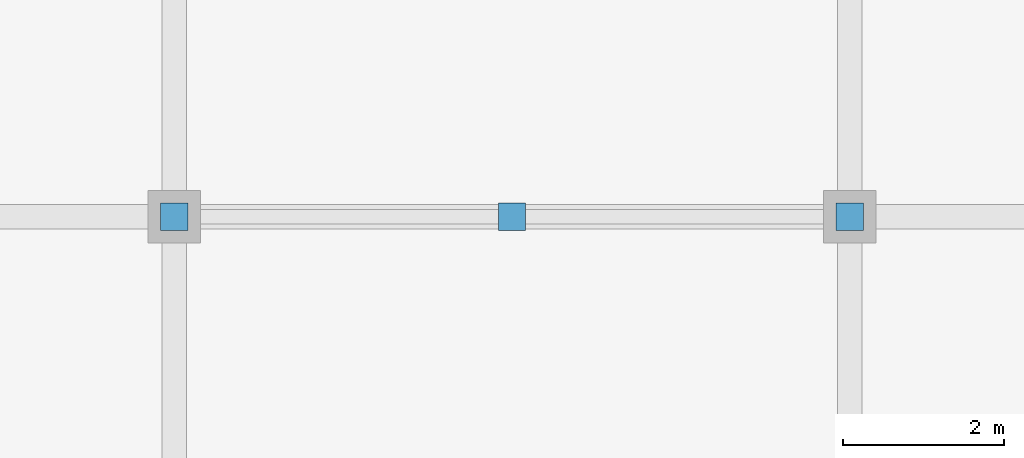
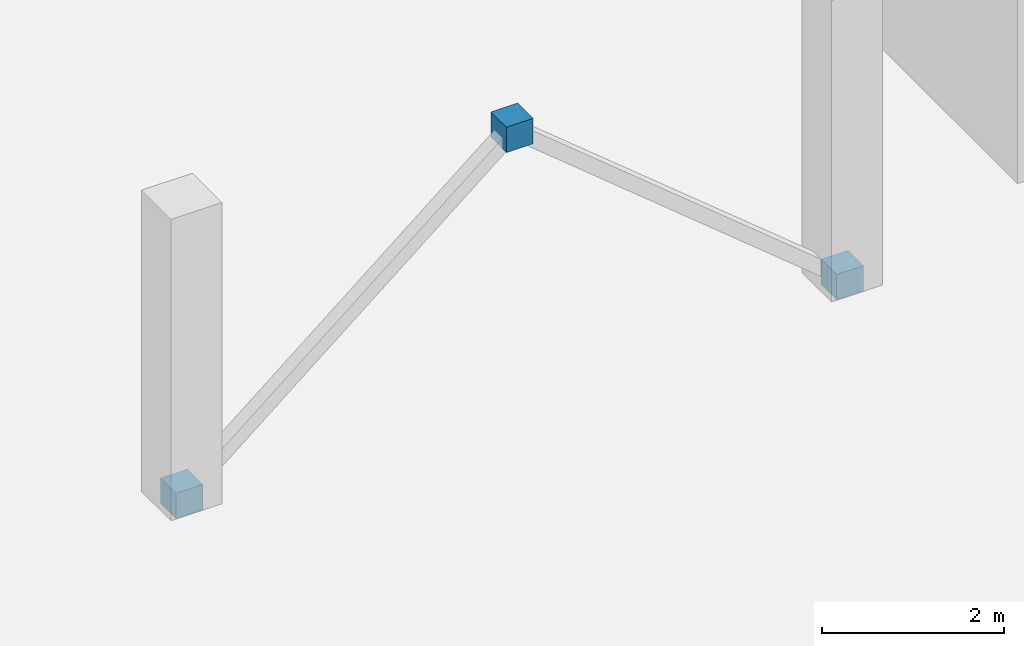
# One storey, part 68 of 77: 3 discrete accessories.
"""IFC4 building model written with IfcOpenShell, lengths in metres."""

import ifcopenshell
import ifcopenshell.guid

model = None  # the IFC model being written
_history = None  # IfcOwnerHistory: only IFC2X3 demands one
_inside = {}  # id of a spatial element -> (the spatial element, [elements in it])
_under = {}  # id of a project, library or spatial element -> (it, [spatial elements below it])
_declared = {}  # id of a project -> (the project, [libraries it declares])
_typed = {}  # id of a type object -> (the type object, [elements of that type])
_made_of = {}  # id of a material, layer set ... -> (it, [elements and type objects made of it])


def new_model(schema):
    """Start an empty IFC model of exactly this schema.

    Asked for "IFC4X3", IfcOpenShell would pick the latest addendum, in which some entities
    have other attributes; the version numbers below select the first issue.
    IFC2X3 requires an IfcOwnerHistory on every rooted entity: one is made here for all.
    """
    global model, _history
    if schema == "IFC4X3":
        model = ifcopenshell.file(schema_version=(4, 3, 0, 0))
    else:
        model = ifcopenshell.file(schema=schema)
    _inside.clear()
    _under.clear()
    _declared.clear()
    _typed.clear()
    _made_of.clear()
    _history = None
    if model.schema == "IFC2X3":
        org = make("IfcOrganization", Name="unknown")
        user = make(
            "IfcPersonAndOrganization",
            ThePerson=make("IfcPerson", FamilyName="unknown"),
            TheOrganization=org,
        )
        app = make(
            "IfcApplication",
            ApplicationDeveloper=org,
            Version="unknown",
            ApplicationFullName="unknown",
            ApplicationIdentifier="unknown",
        )
        _history = make(
            "IfcOwnerHistory",
            OwningUser=user,
            OwningApplication=app,
            ChangeAction="ADDED",
            CreationDate=0,
        )
    return model


def make(cls, **values):
    """One entity of the class cls with the attributes given. An attribute that is None is left unset."""
    return model.create_entity(
        cls, **{name: value for name, value in values.items() if value is not None}
    )


def rooted(cls, **values):
    """An entity with a GlobalId (a new one), such as an element, a storey or a relation."""
    return make(cls, GlobalId=ifcopenshell.guid.new(), OwnerHistory=_history, **values)


def si_unit(unit_type, name, prefix=None):
    """IfcSIUnit, for example si_unit("LENGTHUNIT", "METRE", prefix="MILLI")."""
    return make("IfcSIUnit", UnitType=unit_type, Prefix=prefix, Name=name)


def assignment(units):
    """IfcUnitAssignment: the units of a project."""
    return None if units is None else make("IfcUnitAssignment", Units=units)


def point(xyz):
    """IfcCartesianPoint."""
    return None if xyz is None else make("IfcCartesianPoint", Coordinates=xyz)


def direction(xyz):
    """IfcDirection."""
    return None if xyz is None else make("IfcDirection", DirectionRatios=xyz)


def frame(location, z_axis=None, x_axis=None):
    """IfcAxis2Placement3D, a coordinate frame: its origin and axes. An axis left out is left unset."""
    return make(
        "IfcAxis2Placement3D",
        Location=point(location),
        Axis=direction(z_axis),
        RefDirection=direction(x_axis),
    )


def frame_2d(location, x_axis=None):
    """IfcAxis2Placement2D, a coordinate frame in the plane: its origin and x axis."""
    return make(
        "IfcAxis2Placement2D", Location=point(location), RefDirection=direction(x_axis)
    )


def origin():
    """The frame at (0, 0, 0) with its axes left unset."""
    return frame((0.0, 0.0, 0.0))


def origin_2d():
    """The frame at (0, 0) in the plane with its x axis left unset."""
    return frame_2d((0.0, 0.0))


def place(relative_to, where):
    """IfcLocalPlacement: puts the frame where relative to a parent placement (None: the world)."""
    return make(
        "IfcLocalPlacement", PlacementRelTo=relative_to, RelativePlacement=where
    )


def context(
    kind, dimensions, precision=None, world=None, true_north=None, identifier=None
):
    """IfcGeometricRepresentationContext, for example the 3D "Model" context."""
    return make(
        "IfcGeometricRepresentationContext",
        ContextIdentifier=identifier,
        ContextType=kind,
        CoordinateSpaceDimension=dimensions,
        Precision=precision,
        WorldCoordinateSystem=world,
        TrueNorth=true_north,
    )


def subcontext(parent, identifier, kind, view, scale=None):
    """IfcGeometricRepresentationSubContext, for example "Body" below "Model"."""
    return make(
        "IfcGeometricRepresentationSubContext",
        ContextIdentifier=identifier,
        ContextType=kind,
        ParentContext=parent,
        TargetScale=scale,
        TargetView=view,
    )


def project(units=None, contexts=None):
    """IfcProject with its units and contexts."""
    return rooted(
        "IfcProject",
        Name="project",
        RepresentationContexts=contexts,
        UnitsInContext=assignment(units),
    )


def spatial(cls, under=None, at=None, **own):
    """A site, building, storey or space (cls), placed at a placement, below another one or the project."""
    s = rooted(cls, ObjectPlacement=at, **own)
    if under is not None:
        _under.setdefault(under.id(), (under, []))[1].append(s)
    return s


def profile(cls, at=None, kind="AREA", **sizes):
    """A parametric profile (cls). Its sizes go by their IFC names, for example OverallWidth=200.0."""
    return make(cls, ProfileType=kind, Position=at, **sizes)


def rectangle(**sizes):
    """IfcRectangleProfileDef."""
    return profile("IfcRectangleProfileDef", **sizes)


def extrude(swept, where, along, depth):
    """IfcExtrudedAreaSolid: the profile swept, set in the frame where, extruded along a direction by depth."""
    return make(
        "IfcExtrudedAreaSolid",
        SweptArea=swept,
        Position=where,
        ExtrudedDirection=direction(along),
        Depth=depth,
    )


def shape(context_of_items, identifier, shape_type, items):
    """IfcShapeRepresentation: the items that make up one representation, for example the "Body"."""
    return make(
        "IfcShapeRepresentation",
        ContextOfItems=context_of_items,
        RepresentationIdentifier=identifier,
        RepresentationType=shape_type,
        Items=items,
    )


def material(Name=None, Category=None):
    """IfcMaterial."""
    return make("IfcMaterial", Name=Name, Category=Category)


def layer(
    of_material, thickness, ventilated=None, Name=None, Category=None, Priority=None
):
    """IfcMaterialLayer: one layer of a wall or slab, of a material (None: an air gap)."""
    return make(
        "IfcMaterialLayer",
        Material=of_material,
        LayerThickness=thickness,
        IsVentilated=ventilated,
        Name=Name,
        Category=Category,
        Priority=Priority,
    )


def layer_set(layers, Name=None):
    """IfcMaterialLayerSet."""
    return make("IfcMaterialLayerSet", MaterialLayers=layers, LayerSetName=Name)


def made_of(thing, what):
    """Note that an element or type object is made of a material, layer set ...; save() writes the relation."""
    if what is not None:
        _made_of.setdefault(what.id(), (what, []))[1].append(thing)
    return thing


def type_object(cls, material=None, **own):
    """A type object (cls), such as IfcWallType, which elements share."""
    return made_of(rooted(cls, **own), material)


def element(
    cls,
    number,
    at=None,
    inside=None,
    cuts=None,
    type_object=None,
    material=None,
    context=None,
    identifier="Body",
    shape_type=None,
    held_by="IfcProductDefinitionShape",
    body=None,
    shapes=None,
    **own,
):
    """One element of the class cls, such as IfcWall. Its Tag is "e" and its number.

    at: its placement. inside: the storey or other place that contains it. cuts: it is an
    opening in that element (IfcRelVoidsElement). A single representation is given by context,
    identifier, shape_type and body (its items); several are given by shapes. held_by: the class
    of the entity that holds the representations. save() writes the other relations.
    """
    e = rooted(cls, Tag="e%d" % number, ObjectPlacement=at, **own)
    if body is not None:
        shapes = [shape(context, identifier, shape_type, body)]
    if shapes is not None:
        e.Representation = make(held_by, Representations=shapes)
    if inside is not None:
        _inside.setdefault(inside.id(), (inside, []))[1].append(e)
    if cuts is not None:
        rooted(
            "IfcRelVoidsElement", RelatingBuildingElement=cuts, RelatedOpeningElement=e
        )
    if type_object is not None:
        _typed.setdefault(type_object.id(), (type_object, []))[1].append(e)
    return made_of(e, material)


def aggregate(whole, parts):
    """IfcRelAggregates: a whole, such as a stair, and the parts it consists of."""
    return rooted("IfcRelAggregates", RelatingObject=whole, RelatedObjects=parts)


def save(model, path):
    """Write the relations noted so far, then the file.

    IfcRelAggregates (storeys below a building ...), IfcRelContainedInSpatialStructure (elements
    in a storey), IfcRelDefinesByType, IfcRelAssociatesMaterial and IfcRelDeclares: one each for
    every whole, place, type object, material and project.
    """
    for whole, parts in _under.values():
        aggregate(whole, parts)
    for where, things in _inside.values():
        rooted(
            "IfcRelContainedInSpatialStructure",
            RelatedElements=things,
            RelatingStructure=where,
        )
    for kind, things in _typed.values():
        rooted("IfcRelDefinesByType", RelatedObjects=things, RelatingType=kind)
    for what, things in _made_of.values():
        rooted("IfcRelAssociatesMaterial", RelatedObjects=things, RelatingMaterial=what)
    for by, libraries in _declared.values():
        rooted("IfcRelDeclares", RelatingContext=by, RelatedDefinitions=libraries)
    model.write(path)


model = new_model("IFC4")

# Units and contexts
model_context = context("Model", 3, precision=1e-05, world=origin(), true_north=direction((0.0, 1.0)))
body_context = subcontext(model_context, "Body", "Model", "MODEL_VIEW")
ifc_project = project(units=[si_unit("LENGTHUNIT", "METRE"), si_unit("AREAUNIT", "SQUARE_METRE"), si_unit("VOLUMEUNIT", "CUBIC_METRE"), si_unit("PLANEANGLEUNIT", "RADIAN"), si_unit("MASSUNIT", "GRAM", prefix="KILO")], contexts=[model_context])

# Site, building, storey
site_placement = place(None, origin())
site = spatial("IfcSite", under=ifc_project, at=site_placement, CompositionType="ELEMENT")
building_placement = place(site_placement, origin())
building = spatial("IfcBuilding", under=site, at=building_placement, Name="Nabrawat Pavilion Hospital", CompositionType="ELEMENT")
storey_placement = place(building_placement, frame((0.0, 0.0, 14.85009765625)))
storey = spatial("IfcBuildingStorey", under=building, at=storey_placement, Name="L03", CompositionType="ELEMENT", Elevation=14.85009765625)

# Discrete accessories
ifc_material = material(Name="Steel S355", Category="steel")
ifc_layer = layer(ifc_material, 0.02001953125, Name="Steel S355")
ifc_layer_set = layer_set([ifc_layer], Name="Steel S355")
discrete_accessory_type = type_object("IfcDiscreteAccessoryType", Name="Brace and Strut Gusset End Bracket 20", PredefinedType="BRACKET", material=ifc_layer_set)
for number, where, z_axis, x_axis, name in (
    (1, (155.39990234375, 93.60009765625, 3.330078125), (0.0, 0.0, 1.0), (1.0, 0.0, 0.0), "L03 Brace and Strut Gusset End Connection 0105"),
    (2, (151.199951171875, 93.60009765625, -0.1201171875), (0.0, 0.0, 1.0), (1.0, 0.0, 0.0), "L03 Brace and Strut Gusset End Connection 0106"),
    (3, (159.60009765625, 93.60009765625, -0.1201171875), (0.0, 0.0, 1.0), (1.0, 0.0, 0.0), "L03 Brace and Strut Gusset End Connection 0107"),
):
    element("IfcDiscreteAccessory", number, at=place(storey_placement, frame(where, z_axis=z_axis, x_axis=x_axis)), inside=storey, type_object=discrete_accessory_type, Name=name, PredefinedType="BRACKET", context=body_context, shape_type="SweptSolid", body=[
        extrude(rectangle(XDim=0.340087890625, YDim=0.340087890625, at=origin_2d()), origin(), (0.0, 0.0, 1.0), 0.340087890625),
    ])

save(model, "model.ifc")
